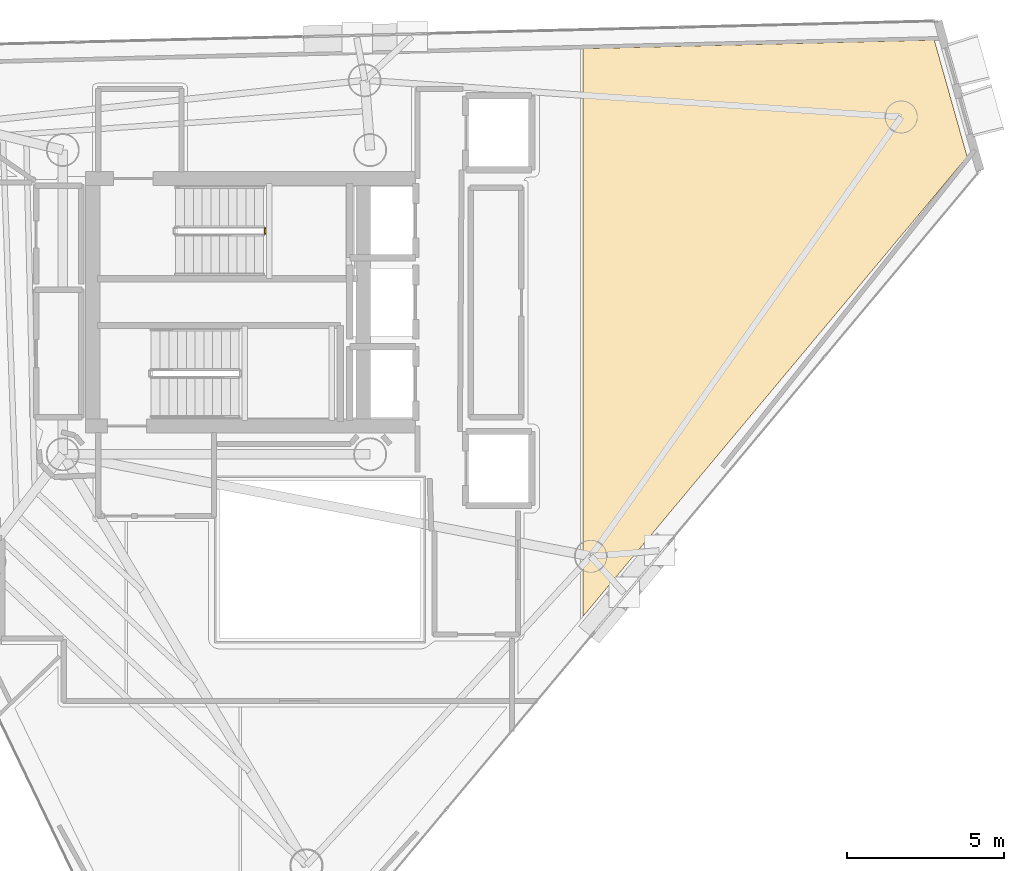
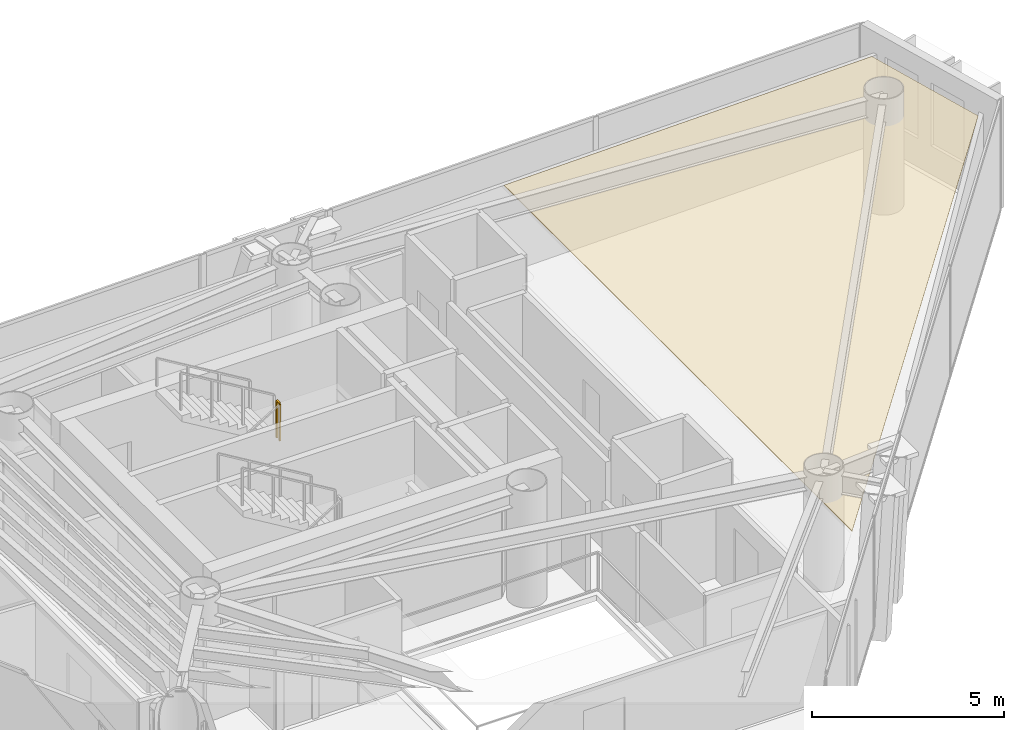
# One storey, part 20 of 20: 1 covering, 1 railing.
"""IFC4 building model written with IfcOpenShell, lengths in metres."""

from ifc_helpers import new_model, si_unit, direction, frame, origin, origin_2d, place, context, subcontext, project, spatial, polyline, rectangle, outline, extrude, material, layer, layer_set, type_object, element, save


model = new_model("IFC4")

# Units and contexts
model_context = context("Model", 3, precision=1e-05, world=origin(), true_north=direction((0.0, 1.0)))
body_context = subcontext(model_context, "Body", "Model", "MODEL_VIEW")
ifc_project = project(units=[si_unit("LENGTHUNIT", "METRE"), si_unit("AREAUNIT", "SQUARE_METRE"), si_unit("VOLUMEUNIT", "CUBIC_METRE"), si_unit("PLANEANGLEUNIT", "RADIAN"), si_unit("MASSUNIT", "GRAM", prefix="KILO")], contexts=[model_context])

# Site, building, storey
site_placement = place(None, origin())
site = spatial("IfcSite", under=ifc_project, at=site_placement, CompositionType="ELEMENT")
building_placement = place(site_placement, origin())
building = spatial("IfcBuilding", under=site, at=building_placement, Name="Qianvela Tower", CompositionType="ELEMENT")
storey_placement = place(building_placement, frame((0.0, 0.0, 257.5)))
storey = spatial("IfcBuildingStorey", under=building, at=storey_placement, Name="L66", CompositionType="ELEMENT", Elevation=257.5)

# Covering
ifc_material_1 = material(Name="Perforated Mineral Acoustic Ceiling Tile")
ifc_layer = layer(ifc_material_1, 0.02490234375)
ifc_layer_set = layer_set([ifc_layer], Name="Perforated Mineral Acoustic Ceiling Tile")
covering_type = type_object("IfcCoveringType", Name="COV-CEIL-ACOUSTIC-25", PredefinedType="CEILING", material=ifc_layer_set)
covering_placement = place(storey_placement, frame((0.0, 0.0, 2.81494140625)))
element("IfcCovering", 1, at=covering_placement, inside=storey, type_object=covering_type, Name="L66 Acoustic Ceiling Bay 2 Project Huddle Conference L66-02", PredefinedType="CEILING", context=body_context, shape_type="SweptSolid", body=[
    extrude(outline(polyline([(56.384521484375, 37.057861328125), (57.433349609375, 33.335693359375), (45.186279296875, 18.681396484375), (45.186279296875, 36.78271484375), (56.384521484375, 37.057861328125)])), origin(), (0.0, 0.0, 1.0), 0.025146484375),
])

# Railing
ifc_material_2 = material(Name="Painted Tubular Steel Q355B", Category="steel")
railing_type = type_object("IfcRailingType", Name="RL-STAIR-GUARD-1200", PredefinedType="GUARDRAIL", material=ifc_material_2)
railing_placement = place(storey_placement, frame((35.050048828125, 30.889892578125, 1.85009765625)))
element("IfcRailing", 2, at=railing_placement, inside=storey, type_object=railing_type, Name="L66 ST-1 stair guard 2", PredefinedType="GUARDRAIL", context=body_context, shape_type="SweptSolid", body=[
    extrude(rectangle(XDim=0.050048828125, YDim=0.0400390625, at=origin_2d()), frame((0.0, 0.0, 1.179931640625), z_axis=(0.0, 1.0, 0.0), x_axis=(-1.0, 0.0, 0.0)), (0.0, 0.0, 1.0), 0.16015625),
    extrude(rectangle(XDim=0.050048828125, YDim=0.050048828125, at=origin_2d()), origin(), (0.0, 0.0, 1.0), 1.159912109375),
    extrude(rectangle(XDim=0.050048828125, YDim=0.050048828125, at=origin_2d()), frame((0.0, 0.16015625, 0.0)), (0.0, 0.0, 1.0), 1.159912109375),
])

save(model, "model.ifc")
